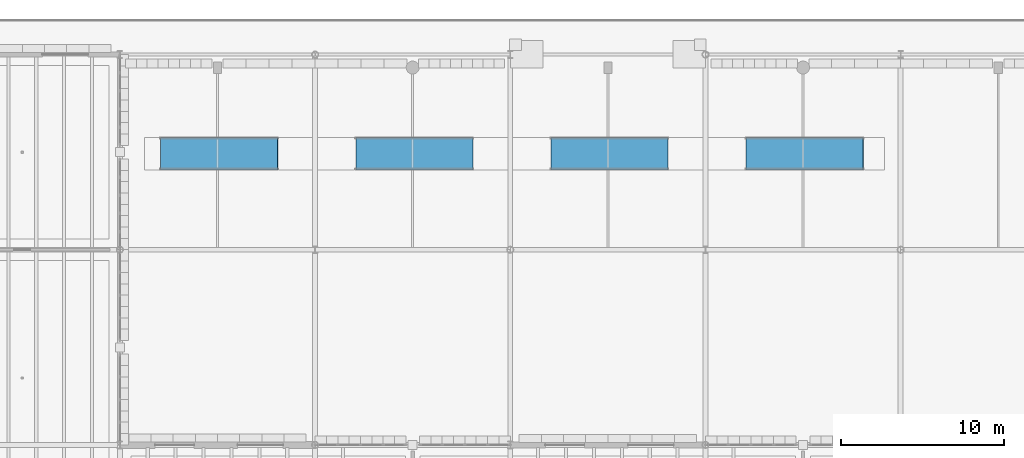
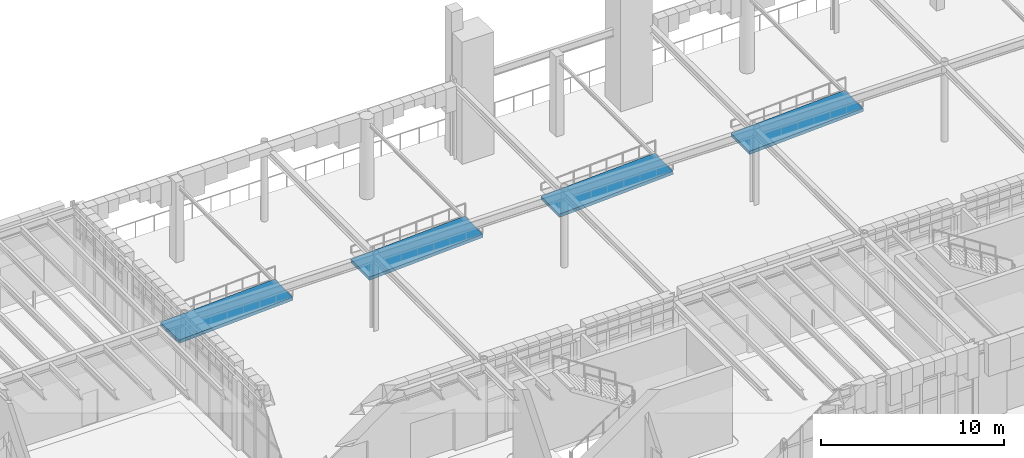
# One storey, part 59 of 103: 4 ramps, 4 ramp flights.
"""IFC4 building model written with IfcOpenShell, lengths in metres."""

from ifc_helpers import new_model, si_unit, direction, frame, origin, place, context, subcontext, project, spatial, polyline, outline, extrude, material, layer, layer_set, type_object, element, aggregate, save


model = new_model("IFC4")

# Units and contexts
model_context = context("Model", 3, precision=1e-05, world=origin(), true_north=direction((0.0, 1.0)))
body_context = subcontext(model_context, "Body", "Model", "MODEL_VIEW")
ifc_project = project(units=[si_unit("LENGTHUNIT", "METRE"), si_unit("AREAUNIT", "SQUARE_METRE"), si_unit("VOLUMEUNIT", "CUBIC_METRE"), si_unit("PLANEANGLEUNIT", "RADIAN"), si_unit("MASSUNIT", "GRAM", prefix="KILO")], contexts=[model_context])

# Ramp flight
ifc_material = material(Name="Concrete C30/37", Category="concrete")
ifc_layer = layer(ifc_material, 0.219970703125)
ifc_layer_set = layer_set([ifc_layer], Name="Accessible Ramp Flight RF-01")
ramp_flight_type = type_object("IfcRampFlightType", Name="Accessible Ramp Flight RF-01", PredefinedType="STRAIGHT", material=ifc_layer_set)
site_placement = place(None, origin())
building_placement = place(site_placement, origin())
storey_placement = place(building_placement, origin())
ramp_flight_1_placement = place(storey_placement, frame((62.5, 112.89990234375, -0.360107421875), z_axis=(-0.049952818777, 0.0, 0.99875157867), x_axis=(0.99875157867, 0.0, 0.049952818777)))
ramp_flight_1 = element("IfcRampFlight", 1, at=ramp_flight_1_placement, type_object=ramp_flight_type, Name="Accessible ramp flight RAMP-01", PredefinedType="STRAIGHT", context=body_context, shape_type="SweptSolid", body=[
    extrude(outline(polyline([(0.0, 0.0), (7.208950980043744, 0.0), (7.208950980043744, 2.0000000000000004), (0.0, 2.0000000000000004), (0.0, 0.0)])), origin(), (0.0, 0.0, -1.0), 0.219970703125),
])

ramp_flight_2_placement = place(storey_placement, frame((74.5, 112.89990234375, -0.360107421875), z_axis=(-0.049952818777, 0.0, 0.99875157867), x_axis=(0.99875157867, 0.0, 0.049952818777)))
ramp_flight_2 = element("IfcRampFlight", 2, at=ramp_flight_2_placement, type_object=ramp_flight_type, Name="Accessible ramp flight RAMP-02", PredefinedType="STRAIGHT", context=body_context, shape_type="SweptSolid", body=[
    extrude(outline(polyline([(0.0, 0.0), (7.208950980043744, 0.0), (7.208950980043744, 2.0000000000000004), (0.0, 2.0000000000000004), (0.0, 0.0)])), origin(), (0.0, 0.0, -1.0), 0.219970703125),
])

ramp_flight_3_placement = place(storey_placement, frame((86.5, 112.89990234375, -0.360107421875), z_axis=(-0.049952818777, 0.0, 0.99875157867), x_axis=(0.99875157867, 0.0, 0.049952818777)))
ramp_flight_3 = element("IfcRampFlight", 3, at=ramp_flight_3_placement, type_object=ramp_flight_type, Name="Accessible ramp flight RAMP-03", PredefinedType="STRAIGHT", context=body_context, shape_type="SweptSolid", body=[
    extrude(outline(polyline([(0.0, 0.0), (7.208950980043744, 0.0), (7.208950980043744, 2.0000000000000004), (0.0, 2.0000000000000004), (0.0, 0.0)])), origin(), (0.0, 0.0, -1.0), 0.219970703125),
])

ramp_flight_4_placement = place(storey_placement, frame((98.5, 112.89990234375, -0.360107421875), z_axis=(-0.049952818777, 0.0, 0.99875157867), x_axis=(0.99875157867, 0.0, 0.049952818777)))
ramp_flight_4 = element("IfcRampFlight", 4, at=ramp_flight_4_placement, type_object=ramp_flight_type, Name="Accessible ramp flight RAMP-04", PredefinedType="STRAIGHT", context=body_context, shape_type="SweptSolid", body=[
    extrude(outline(polyline([(0.0, 0.0), (7.208950980043744, 0.0), (7.208950980043744, 2.0000000000000004), (0.0, 2.0000000000000004), (0.0, 0.0)])), origin(), (0.0, 0.0, -1.0), 0.219970703125),
])

# Site, building, storey
site = spatial("IfcSite", under=ifc_project, at=site_placement, CompositionType="ELEMENT")
building = spatial("IfcBuilding", under=site, at=building_placement, Name="Zlatogorsky Bluff Art Gallery", CompositionType="ELEMENT")
storey = spatial("IfcBuildingStorey", under=building, at=storey_placement, Name="L00", CompositionType="ELEMENT", Elevation=0.0)

# Ramp
ramp_type = type_object("IfcRampType", Name="Accessible Ramp R-01", PredefinedType="STRAIGHT_RUN_RAMP", material=ifc_material)
ramp_1_placement = place(storey_placement, frame((62.5, 112.89990234375, -0.360107421875), z_axis=(-0.049952818777, 0.0, 0.99875157867), x_axis=(0.99875157867, 0.0, 0.049952818777)))
ramp_1 = element("IfcRamp", 5, at=ramp_1_placement, inside=storey, type_object=ramp_type, Name="Accessible ramp RAMP-01", PredefinedType="STRAIGHT_RUN_RAMP", context=body_context, shape_type="SweptSolid", body=[
    extrude(outline(polyline([(0.0, 0.0), (7.208950980043744, 0.0), (7.208950980043744, 2.0000000000000004), (0.0, 2.0000000000000004), (0.0, 0.0)])), origin(), (0.0, 0.0, -1.0), 0.219970703125),
])

aggregate(ramp_1, [ramp_flight_1])

ramp_2_placement = place(storey_placement, frame((74.5, 112.89990234375, -0.360107421875), z_axis=(-0.049952818777, 0.0, 0.99875157867), x_axis=(0.99875157867, 0.0, 0.049952818777)))
ramp_2 = element("IfcRamp", 6, at=ramp_2_placement, inside=storey, type_object=ramp_type, Name="Accessible ramp RAMP-02", PredefinedType="STRAIGHT_RUN_RAMP", context=body_context, shape_type="SweptSolid", body=[
    extrude(outline(polyline([(0.0, 0.0), (7.208950980043744, 0.0), (7.208950980043744, 2.0000000000000004), (0.0, 2.0000000000000004), (0.0, 0.0)])), origin(), (0.0, 0.0, -1.0), 0.219970703125),
])

aggregate(ramp_2, [ramp_flight_2])

ramp_3_placement = place(storey_placement, frame((86.5, 112.89990234375, -0.360107421875), z_axis=(-0.049952818777, 0.0, 0.99875157867), x_axis=(0.99875157867, 0.0, 0.049952818777)))
ramp_3 = element("IfcRamp", 7, at=ramp_3_placement, inside=storey, type_object=ramp_type, Name="Accessible ramp RAMP-03", PredefinedType="STRAIGHT_RUN_RAMP", context=body_context, shape_type="SweptSolid", body=[
    extrude(outline(polyline([(0.0, 0.0), (7.208950980043744, 0.0), (7.208950980043744, 2.0000000000000004), (0.0, 2.0000000000000004), (0.0, 0.0)])), origin(), (0.0, 0.0, -1.0), 0.219970703125),
])

aggregate(ramp_3, [ramp_flight_3])

ramp_4_placement = place(storey_placement, frame((98.5, 112.89990234375, -0.360107421875), z_axis=(-0.049952818777, 0.0, 0.99875157867), x_axis=(0.99875157867, 0.0, 0.049952818777)))
ramp_4 = element("IfcRamp", 8, at=ramp_4_placement, inside=storey, type_object=ramp_type, Name="Accessible ramp RAMP-04", PredefinedType="STRAIGHT_RUN_RAMP", context=body_context, shape_type="SweptSolid", body=[
    extrude(outline(polyline([(0.0, 0.0), (7.208950980043744, 0.0), (7.208950980043744, 2.0000000000000004), (0.0, 2.0000000000000004), (0.0, 0.0)])), origin(), (0.0, 0.0, -1.0), 0.219970703125),
])

aggregate(ramp_4, [ramp_flight_4])

save(model, "model.ifc")
